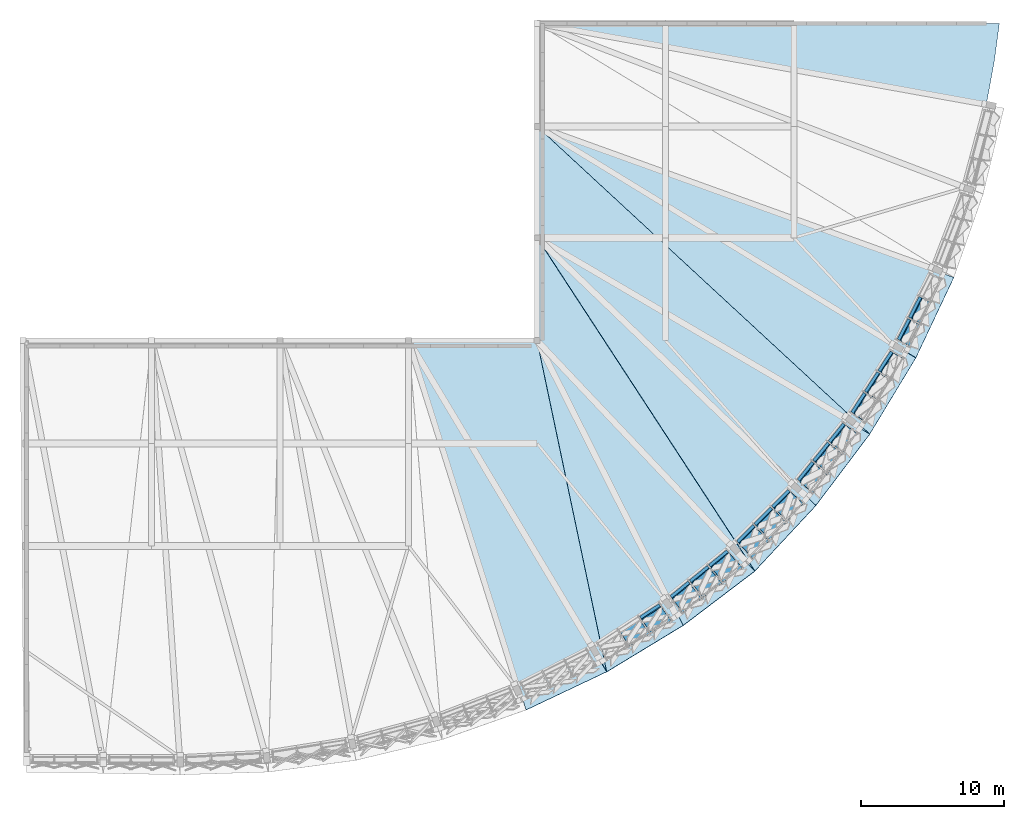
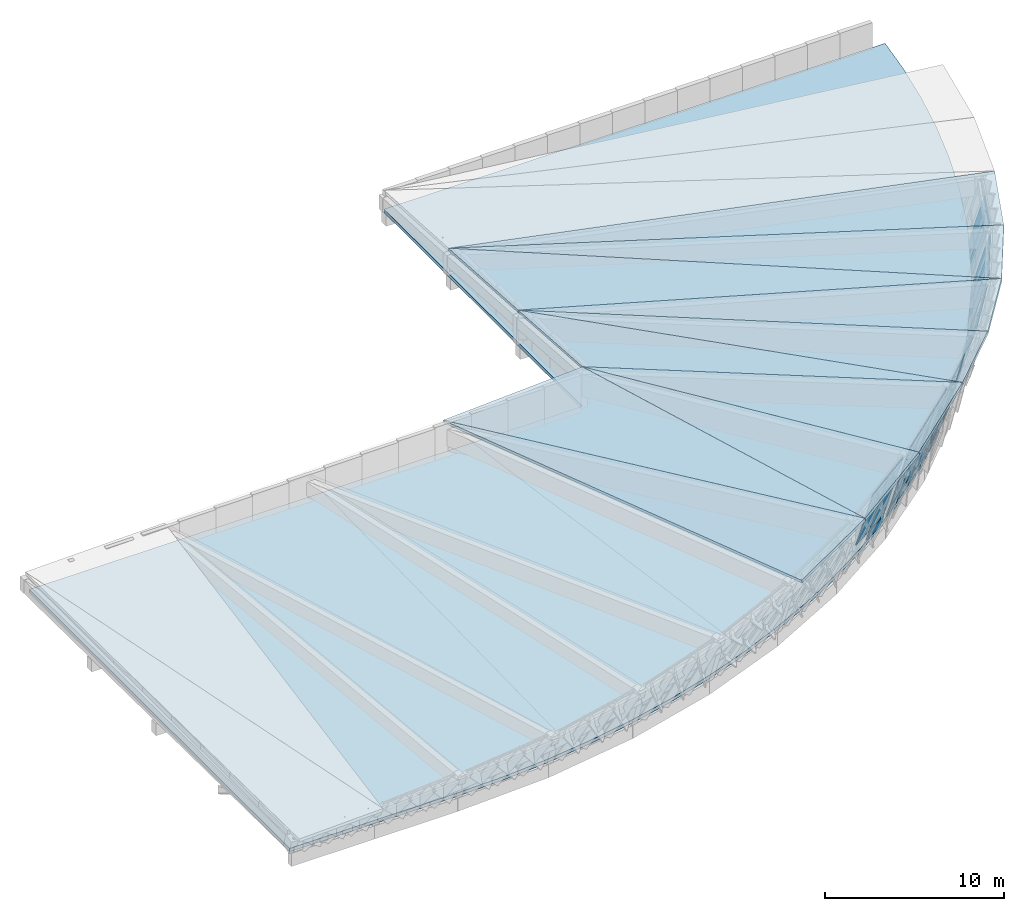
# One storey, part 9 of 11: 31 plates, 11 slabs, 6 elements without a shape of their own.
"""IFC4 building model written with IfcOpenShell, lengths in metres."""

import ifcopenshell
import ifcopenshell.guid

model = None  # the IFC model being written
_history = None  # IfcOwnerHistory: only IFC2X3 demands one
_inside = {}  # id of a spatial element -> (the spatial element, [elements in it])
_under = {}  # id of a project, library or spatial element -> (it, [spatial elements below it])
_declared = {}  # id of a project -> (the project, [libraries it declares])
_typed = {}  # id of a type object -> (the type object, [elements of that type])
_made_of = {}  # id of a material, layer set ... -> (it, [elements and type objects made of it])


def new_model(schema):
    """Start an empty IFC model of exactly this schema.

    Asked for "IFC4X3", IfcOpenShell would pick the latest addendum, in which some entities
    have other attributes; the version numbers below select the first issue.
    IFC2X3 requires an IfcOwnerHistory on every rooted entity: one is made here for all.
    """
    global model, _history
    if schema == "IFC4X3":
        model = ifcopenshell.file(schema_version=(4, 3, 0, 0))
    else:
        model = ifcopenshell.file(schema=schema)
    _inside.clear()
    _under.clear()
    _declared.clear()
    _typed.clear()
    _made_of.clear()
    _history = None
    if model.schema == "IFC2X3":
        org = make("IfcOrganization", Name="unknown")
        user = make(
            "IfcPersonAndOrganization",
            ThePerson=make("IfcPerson", FamilyName="unknown"),
            TheOrganization=org,
        )
        app = make(
            "IfcApplication",
            ApplicationDeveloper=org,
            Version="unknown",
            ApplicationFullName="unknown",
            ApplicationIdentifier="unknown",
        )
        _history = make(
            "IfcOwnerHistory",
            OwningUser=user,
            OwningApplication=app,
            ChangeAction="ADDED",
            CreationDate=0,
        )
    return model


def make(cls, **values):
    """One entity of the class cls with the attributes given. An attribute that is None is left unset."""
    return model.create_entity(
        cls, **{name: value for name, value in values.items() if value is not None}
    )


def rooted(cls, **values):
    """An entity with a GlobalId (a new one), such as an element, a storey or a relation."""
    return make(cls, GlobalId=ifcopenshell.guid.new(), OwnerHistory=_history, **values)


def si_unit(unit_type, name, prefix=None):
    """IfcSIUnit, for example si_unit("LENGTHUNIT", "METRE", prefix="MILLI")."""
    return make("IfcSIUnit", UnitType=unit_type, Prefix=prefix, Name=name)


def assignment(units):
    """IfcUnitAssignment: the units of a project."""
    return None if units is None else make("IfcUnitAssignment", Units=units)


def point(xyz):
    """IfcCartesianPoint."""
    return None if xyz is None else make("IfcCartesianPoint", Coordinates=xyz)


def direction(xyz):
    """IfcDirection."""
    return None if xyz is None else make("IfcDirection", DirectionRatios=xyz)


def frame(location, z_axis=None, x_axis=None):
    """IfcAxis2Placement3D, a coordinate frame: its origin and axes. An axis left out is left unset."""
    return make(
        "IfcAxis2Placement3D",
        Location=point(location),
        Axis=direction(z_axis),
        RefDirection=direction(x_axis),
    )


def origin():
    """The frame at (0, 0, 0) with its axes left unset."""
    return frame((0.0, 0.0, 0.0))


def place(relative_to, where):
    """IfcLocalPlacement: puts the frame where relative to a parent placement (None: the world)."""
    return make(
        "IfcLocalPlacement", PlacementRelTo=relative_to, RelativePlacement=where
    )


def context(
    kind, dimensions, precision=None, world=None, true_north=None, identifier=None
):
    """IfcGeometricRepresentationContext, for example the 3D "Model" context."""
    return make(
        "IfcGeometricRepresentationContext",
        ContextIdentifier=identifier,
        ContextType=kind,
        CoordinateSpaceDimension=dimensions,
        Precision=precision,
        WorldCoordinateSystem=world,
        TrueNorth=true_north,
    )


def subcontext(parent, identifier, kind, view, scale=None):
    """IfcGeometricRepresentationSubContext, for example "Body" below "Model"."""
    return make(
        "IfcGeometricRepresentationSubContext",
        ContextIdentifier=identifier,
        ContextType=kind,
        ParentContext=parent,
        TargetScale=scale,
        TargetView=view,
    )


def project(units=None, contexts=None):
    """IfcProject with its units and contexts."""
    return rooted(
        "IfcProject",
        Name="project",
        RepresentationContexts=contexts,
        UnitsInContext=assignment(units),
    )


def spatial(cls, under=None, at=None, **own):
    """A site, building, storey or space (cls), placed at a placement, below another one or the project."""
    s = rooted(cls, ObjectPlacement=at, **own)
    if under is not None:
        _under.setdefault(under.id(), (under, []))[1].append(s)
    return s


def polyline(points):
    """IfcPolyline through the points."""
    return make("IfcPolyline", Points=[point(p) for p in points])


def outline(outer, holes=None, kind="AREA"):
    """IfcArbitraryClosedProfileDef: a profile drawn as a closed curve; with holes, ...WithVoids."""
    if holes is None:
        return make("IfcArbitraryClosedProfileDef", ProfileType=kind, OuterCurve=outer)
    return make(
        "IfcArbitraryProfileDefWithVoids",
        ProfileType=kind,
        OuterCurve=outer,
        InnerCurves=holes,
    )


def extrude(swept, where, along, depth):
    """IfcExtrudedAreaSolid: the profile swept, set in the frame where, extruded along a direction by depth."""
    return make(
        "IfcExtrudedAreaSolid",
        SweptArea=swept,
        Position=where,
        ExtrudedDirection=direction(along),
        Depth=depth,
    )


def shape(context_of_items, identifier, shape_type, items):
    """IfcShapeRepresentation: the items that make up one representation, for example the "Body"."""
    return make(
        "IfcShapeRepresentation",
        ContextOfItems=context_of_items,
        RepresentationIdentifier=identifier,
        RepresentationType=shape_type,
        Items=items,
    )


def material(Name=None, Category=None):
    """IfcMaterial."""
    return make("IfcMaterial", Name=Name, Category=Category)


def layer(
    of_material, thickness, ventilated=None, Name=None, Category=None, Priority=None
):
    """IfcMaterialLayer: one layer of a wall or slab, of a material (None: an air gap)."""
    return make(
        "IfcMaterialLayer",
        Material=of_material,
        LayerThickness=thickness,
        IsVentilated=ventilated,
        Name=Name,
        Category=Category,
        Priority=Priority,
    )


def layer_set(layers, Name=None):
    """IfcMaterialLayerSet."""
    return make("IfcMaterialLayerSet", MaterialLayers=layers, LayerSetName=Name)


def made_of(thing, what):
    """Note that an element or type object is made of a material, layer set ...; save() writes the relation."""
    if what is not None:
        _made_of.setdefault(what.id(), (what, []))[1].append(thing)
    return thing


def type_object(cls, material=None, **own):
    """A type object (cls), such as IfcWallType, which elements share."""
    return made_of(rooted(cls, **own), material)


def element(
    cls,
    number,
    at=None,
    inside=None,
    cuts=None,
    type_object=None,
    material=None,
    context=None,
    identifier="Body",
    shape_type=None,
    held_by="IfcProductDefinitionShape",
    body=None,
    shapes=None,
    **own,
):
    """One element of the class cls, such as IfcWall. Its Tag is "e" and its number.

    at: its placement. inside: the storey or other place that contains it. cuts: it is an
    opening in that element (IfcRelVoidsElement). A single representation is given by context,
    identifier, shape_type and body (its items); several are given by shapes. held_by: the class
    of the entity that holds the representations. save() writes the other relations.
    """
    e = rooted(cls, Tag="e%d" % number, ObjectPlacement=at, **own)
    if body is not None:
        shapes = [shape(context, identifier, shape_type, body)]
    if shapes is not None:
        e.Representation = make(held_by, Representations=shapes)
    if inside is not None:
        _inside.setdefault(inside.id(), (inside, []))[1].append(e)
    if cuts is not None:
        rooted(
            "IfcRelVoidsElement", RelatingBuildingElement=cuts, RelatedOpeningElement=e
        )
    if type_object is not None:
        _typed.setdefault(type_object.id(), (type_object, []))[1].append(e)
    return made_of(e, material)


def aggregate(whole, parts):
    """IfcRelAggregates: a whole, such as a stair, and the parts it consists of."""
    return rooted("IfcRelAggregates", RelatingObject=whole, RelatedObjects=parts)


def save(model, path):
    """Write the relations noted so far, then the file.

    IfcRelAggregates (storeys below a building ...), IfcRelContainedInSpatialStructure (elements
    in a storey), IfcRelDefinesByType, IfcRelAssociatesMaterial and IfcRelDeclares: one each for
    every whole, place, type object, material and project.
    """
    for whole, parts in _under.values():
        aggregate(whole, parts)
    for where, things in _inside.values():
        rooted(
            "IfcRelContainedInSpatialStructure",
            RelatedElements=things,
            RelatingStructure=where,
        )
    for kind, things in _typed.values():
        rooted("IfcRelDefinesByType", RelatedObjects=things, RelatingType=kind)
    for what, things in _made_of.values():
        rooted("IfcRelAssociatesMaterial", RelatedObjects=things, RelatingMaterial=what)
    for by, libraries in _declared.values():
        rooted("IfcRelDeclares", RelatingContext=by, RelatedDefinitions=libraries)
    model.write(path)


model = new_model("IFC4")

# Units and contexts
model_context = context("Model", 3, precision=1e-05, world=origin(), true_north=direction((0.0, 1.0)))
body_context = subcontext(model_context, "Body", "Model", "MODEL_VIEW")
ifc_project = project(units=[si_unit("LENGTHUNIT", "METRE"), si_unit("AREAUNIT", "SQUARE_METRE"), si_unit("VOLUMEUNIT", "CUBIC_METRE"), si_unit("PLANEANGLEUNIT", "RADIAN"), si_unit("MASSUNIT", "GRAM", prefix="KILO")], contexts=[model_context])

# Site, building, storey
site_placement = place(None, origin())
site = spatial("IfcSite", under=ifc_project, at=site_placement, CompositionType="ELEMENT")
building_placement = place(site_placement, origin())
building = spatial("IfcBuilding", under=site, at=building_placement, Name="Chiffa Square Polytechnic", CompositionType="ELEMENT")
storey_placement = place(building_placement, frame((0.0, 0.0, 30.60009765625)))
storey = spatial("IfcBuildingStorey", under=building, at=storey_placement, Name="ROOF", CompositionType="ELEMENT", Elevation=30.60009765625)

# Curtain wall, plates
ifc_material_1 = material(Name="Aluminium EN AW-6060 T66 and glulam shading", Category="wood")
curtain_wall_type_1 = type_object("IfcCurtainWallType", Name="CW-PROW-LEAN-300", PredefinedType="USERDEFINED", material=ifc_material_1)
curtain_wall_1_placement = place(storey_placement, origin())
curtain_wall_1 = element("IfcCurtainWall", 1, at=curtain_wall_1_placement, inside=storey, type_object=curtain_wall_type_1, Name="Outward-leaning diamond-fin prow curtain wall CW-V1-ROOF-121", ObjectType="CURTAIN WALL", PredefinedType="USERDEFINED")
ifc_material_2 = material(Name="Double glazing", Category="glass")
ifc_layer_1 = layer(ifc_material_2, 0.0458984375, Name="Double glazing")
ifc_layer_set_1 = layer_set([ifc_layer_1], Name="Double glazing")
plate_type_1 = type_object("IfcPlateType", Name="CWP-GLZ-128X106", PredefinedType="CURTAIN_PANEL", material=ifc_layer_set_1)
plate_1_placement = place(storey_placement, frame((170.3740234375, 23.684326171875, 0.1279296875), z_axis=(-0.807004408359, 0.524212559125, 0.271928442325), x_axis=(0.544741568728, 0.838603972826, 7.769295e-06)))
plate_1 = element("IfcPlate", 2, at=plate_1_placement, type_object=plate_type_1, Name="Leaning prow curtain panel CW-V1-ROOF-121-PN01", PredefinedType="CURTAIN_PANEL", context=body_context, shape_type="SweptSolid", body=[
    extrude(outline(polyline([(0.0, 0.0), (1.6111280090809896, 0.0), (1.5943157676603859, -3.3346292388060803), (-0.04924277057574541, -3.562732452409931), (0.0, 0.0)])), origin(), (0.0, 0.0, -1.0), 0.0458984375),
])
plate_2_placement = place(storey_placement, frame((171.31982421875, 25.140380859375, 0.1279296875), z_axis=(-0.807035295945, 0.5241659991, 0.271926527735), x_axis=(0.544688598835, 0.838638378679, -1.0293533e-05)))
plate_2 = element("IfcPlate", 3, at=plate_2_placement, type_object=plate_type_1, Name="Leaning prow curtain panel CW-V1-ROOF-121-PN02", PredefinedType="CURTAIN_PANEL", context=body_context, shape_type="SweptSolid", body=[
    extrude(outline(polyline([(0.0, 0.0), (1.6109950224175131, -2.7755575615628914e-17), (1.6243277850902589, -3.0885680619330396), (-0.014837645858515165, -3.3168638054124715), (0.0, 0.0)])), origin(), (0.0, 0.0, -1.0), 0.0458984375),
])
plate_3_placement = place(storey_placement, frame((172.265380859375, 26.59619140625, 0.1279296875), z_axis=(-0.807012889891, 0.524204510255, 0.271918787468), x_axis=(0.544732392855, 0.838609933197, 1.0860772e-05)))
plate_3 = element("IfcPlate", 4, at=plate_3_placement, type_object=plate_type_1, Name="Leaning prow curtain panel CW-V1-ROOF-121-PN03", PredefinedType="CURTAIN_PANEL", context=body_context, shape_type="SweptSolid", body=[
    extrude(outline(polyline([(0.0, 0.0), (1.61112800845346, 2.7755575615628914e-17), (1.6502852622406088, -2.842436052878546), (0.015528714881124181, -3.0708026762228253), (0.0, 0.0)])), origin(), (0.0, 0.0, -1.0), 0.0458984375),
])

curtain_wall_type_2 = type_object("IfcCurtainWallType", Name="CW-PROW-LEAN-150", PredefinedType="USERDEFINED", material=ifc_material_1)
curtain_wall_2_placement = place(storey_placement, origin())
curtain_wall_2 = element("IfcCurtainWall", 5, at=curtain_wall_2_placement, inside=storey, type_object=curtain_wall_type_2, Name="Outward-leaning diamond-fin prow curtain wall CW-V1-ROOF-120", ObjectType="CURTAIN WALL", PredefinedType="USERDEFINED")
ifc_layer_2 = layer(ifc_material_2, 0.0458984375, Name="Double glazing")
ifc_layer_set_2 = layer_set([ifc_layer_2], Name="Double glazing")
plate_type_2 = type_object("IfcPlateType", Name="CWP-GLZ-130X110", PredefinedType="CURTAIN_PANEL", material=ifc_layer_set_2)
plate_4_placement = place(storey_placement, frame((166.596923828125, 18.937255859375, 0.1279296875), z_axis=(-0.747948040427, 0.605492113756, 0.271943062055), x_axis=(0.629203932889, 0.777240252961, -3.658958e-06)))
plate_4 = element("IfcPlate", 6, at=plate_4_placement, type_object=plate_type_2, Name="Leaning prow curtain panel CW-V1-ROOF-120-PN01", PredefinedType="CURTAIN_PANEL", context=body_context, shape_type="SweptSolid", body=[
    extrude(outline(polyline([(0.0, 0.0), (1.6110644499010165, 2.7755575615628914e-17), (1.5901307008829089, -4.102617813582317), (-0.060665630049233005, -4.344636925987291), (0.0, 0.0)])), origin(), (0.0, 0.0, -1.0), 0.0458984375),
])
plate_5_placement = place(storey_placement, frame((167.689453125, 20.28662109375, 0.1279296875), z_axis=(-0.747950076778, 0.605501458078, 0.271916654351), x_axis=(0.629208406916, 0.777236631045, -5.285099e-06)))
plate_5 = element("IfcPlate", 7, at=plate_5_placement, type_object=plate_type_2, Name="Leaning prow curtain panel CW-V1-ROOF-120-PN02", PredefinedType="CURTAIN_PANEL", context=body_context, shape_type="SweptSolid", body=[
    extrude(outline(polyline([(0.0, 0.0), (1.611064449742534, -2.7755575615628914e-17), (1.6278114276023798, -3.841785468703015), (-0.018295193743024702, -4.083797218216156), (0.0, 0.0)])), origin(), (0.0, 0.0, -1.0), 0.0458984375),
])
plate_6_placement = place(storey_placement, frame((168.78173828125, 21.635986328125, 0.1279296875), z_axis=(-0.747969153087, 0.605481690868, 0.271908197843), x_axis=(0.629189226731, 0.777252157862, 8.025782e-06)))
plate_6 = element("IfcPlate", 8, at=plate_6_placement, type_object=plate_type_2, Name="Leaning prow curtain panel CW-V1-ROOF-120-PN03", PredefinedType="CURTAIN_PANEL", context=body_context, shape_type="SweptSolid", body=[
    extrude(outline(polyline([(0.0, 0.0), (1.6114078194448793, 0.0), (1.66082428508851, -3.5809503604485085), (0.019219092726835363, -3.8230065276506857), (0.0, 0.0)])), origin(), (0.0, 0.0, -1.0), 0.0458984375),
])

curtain_wall_3_placement = place(storey_placement, origin())
curtain_wall_3 = element("IfcCurtainWall", 9, at=curtain_wall_3_placement, inside=storey, type_object=curtain_wall_type_1, Name="Outward-leaning diamond-fin prow curtain wall CW-V1-ROOF-119", ObjectType="CURTAIN WALL", PredefinedType="USERDEFINED")
ifc_layer_3 = layer(ifc_material_2, 0.0439453125, Name="Double glazing")
ifc_layer_set_3 = layer_set([ifc_layer_3], Name="Double glazing")
plate_type_3 = type_object("IfcPlateType", Name="CWP-GLZ-132X114", PredefinedType="CURTAIN_PANEL", material=ifc_layer_set_3)
plate_7_placement = place(storey_placement, frame((162.343505859375, 14.611572265625, 0.1279296875), z_axis=(-0.680485758647, 0.680464921879, 0.2718577245), x_axis=(0.707096755109, 0.707116807111, 4.005503e-06)))
plate_7 = element("IfcPlate", 10, at=plate_7_placement, type_object=plate_type_3, Name="Leaning prow curtain panel CW-V1-ROOF-119-PN01", PredefinedType="CURTAIN_PANEL", context=body_context, shape_type="SweptSolid", body=[
    extrude(outline(polyline([(0.0, 0.0), (1.6113610094919038, -2.7755575615628914e-17), (1.5865017870629188, -4.912551914496679), (-0.07164289933033742, -5.167022050283845), (0.0, 0.0)])), origin(), (0.0, 0.0, -1.0), 0.0439453125),
])
plate_8_placement = place(storey_placement, frame((163.5712890625, 15.83935546875, 0.1279296875), z_axis=(-0.680470743104, 0.680478919054, 0.271860273858), x_axis=(0.707110715183, 0.707102847166, -1.571697e-06)))
plate_8 = element("IfcPlate", 11, at=plate_8_placement, type_object=plate_type_3, Name="Leaning prow curtain panel CW-V1-ROOF-119-PN02", PredefinedType="CURTAIN_PANEL", context=body_context, shape_type="SweptSolid", body=[
    extrude(outline(polyline([(0.0, 0.0), (1.611361009639877, -2.7755575615628914e-17), (1.6317317616911473, -4.638066186803864), (-0.021579186491795067, -4.892771268209691), (0.0, 0.0)])), origin(), (0.0, 0.0, -1.0), 0.0439453125),
])
plate_9_placement = place(storey_placement, frame((164.799072265625, 17.067138671875, 0.1279296875), z_axis=(-0.680471882125, 0.680479558929, 0.271855821195), x_axis=(0.707110475016, 0.707103087336, -1.475721e-06)))
plate_9 = element("IfcPlate", 12, at=plate_9_placement, type_object=plate_type_3, Name="Leaning prow curtain panel CW-V1-ROOF-119-PN03", PredefinedType="CURTAIN_PANEL", context=body_context, shape_type="SweptSolid", body=[
    extrude(outline(polyline([(0.0, 0.0), (1.6113610096430646, 2.7755575615628914e-17), (1.6717827317166538, -4.363815404686872), (0.023305521305445852, -4.6185204861773), (0.0, 0.0)])), origin(), (0.0, 0.0, -1.0), 0.0439453125),
])

curtain_wall_4_placement = place(storey_placement, origin())
curtain_wall_4 = element("IfcCurtainWall", 13, at=curtain_wall_4_placement, inside=storey, type_object=curtain_wall_type_2, Name="Outward-leaning diamond-fin prow curtain wall CW-V1-ROOF-118", ObjectType="CURTAIN WALL", PredefinedType="USERDEFINED")
ifc_layer_4 = layer(ifc_material_2, 0.0439453125, Name="Double glazing")
ifc_layer_set_4 = layer_set([ifc_layer_4], Name="Double glazing")
plate_type_4 = type_object("IfcPlateType", Name="CWP-GLZ-134X118", PredefinedType="CURTAIN_PANEL", material=ifc_layer_set_4)
plate_10_placement = place(storey_placement, frame((157.66162109375, 10.75439453125, 0.1279296875), z_axis=(-0.605570785829, 0.747899444211, 0.271901534934), x_axis=(0.777179231851, 0.62927930331, -2.21785e-06)))
plate_10 = element("IfcPlate", 14, at=plate_10_placement, type_object=plate_type_4, Name="Leaning prow curtain panel CW-V1-ROOF-118-PN01", PredefinedType="CURTAIN_PANEL", context=body_context, shape_type="SweptSolid", body=[
    extrude(outline(polyline([(0.0, 0.0), (1.6112180729519143, -2.7755575615628914e-17), (1.587211158494484, -4.679222553519432), (-0.06226765846378002, -4.452154698632553), (0.0, 0.0)])), origin(), (0.0, 0.0, -1.0), 0.0439453125),
])
plate_11_placement = place(storey_placement, frame((159.010986328125, 11.8466796875, 0.1279296875), z_axis=(-0.605597450254, 0.747895978156, 0.271851676662), x_axis=(0.777165361497, 0.629296433227, 4.009059e-06)))
plate_11 = element("IfcPlate", 15, at=plate_11_placement, type_object=plate_type_4, Name="Leaning prow curtain panel CW-V1-ROOF-118-PN02", PredefinedType="CURTAIN_PANEL", context=body_context, shape_type="SweptSolid", body=[
    extrude(outline(polyline([(0.0, 0.0), (1.6112180728303096, -5.551115123125783e-17), (1.6328809666797526, -4.923705573562666), (-0.02075444372314959, -4.6966621582689605), (0.0, 0.0)])), origin(), (0.0, 0.0, -1.0), 0.0439453125),
])
plate_12_placement = place(storey_placement, frame((160.3603515625, 12.939208984375, 0.1279296875), z_axis=(-0.60556524505, 0.747916590715, 0.271866708738), x_axis=(0.777188373722, 0.629268012624, -6.321719e-06)))
plate_12 = element("IfcPlate", 16, at=plate_12_placement, type_object=plate_type_4, Name="Leaning prow curtain panel CW-V1-ROOF-118-PN03", PredefinedType="CURTAIN_PANEL", context=body_context, shape_type="SweptSolid", body=[
    extrude(outline(polyline([(0.0, 0.0), (1.6112180725699194, 0.0), (1.6832765875466305, -5.168054514892327), (0.025294843460586323, -4.941228716682497), (0.0, 0.0)])), origin(), (0.0, 0.0, -1.0), 0.0439453125),
])

curtain_wall_5_placement = place(storey_placement, origin())
curtain_wall_5 = element("IfcCurtainWall", 17, at=curtain_wall_5_placement, inside=storey, type_object=curtain_wall_type_1, Name="Outward-leaning diamond-fin prow curtain wall CW-V1-ROOF-117", ObjectType="CURTAIN WALL", PredefinedType="USERDEFINED")
ifc_layer_5 = layer(ifc_material_2, 0.0419921875, Name="Double glazing")
ifc_layer_set_5 = layer_set([ifc_layer_5], Name="Double glazing")
plate_type_5 = type_object("IfcPlateType", Name="CWP-GLZ-136X122", PredefinedType="CURTAIN_PANEL", material=ifc_layer_set_5)
plate_13_placement = place(storey_placement, frame((154.05859375, 8.3525390625, 0.1279296875), z_axis=(-0.524190690558, 0.807010681087, 0.271951982054), x_axis=(0.838615377161, 0.544724011773, -1.3686528e-05)))
plate_13 = element("IfcPlate", 18, at=plate_13_placement, type_object=plate_type_5, Name="Leaning prow curtain panel CW-V1-ROOF-117-PN02", PredefinedType="CURTAIN_PANEL", context=body_context, shape_type="SweptSolid", body=[
    extrude(outline(polyline([(0.0, 0.0), (1.6111280076982395, 0.0), (1.6298659494180627, -4.201335953319212), (-0.017314980017809727, -3.984120304248619), (0.0, 0.0)])), origin(), (0.0, 0.0, -1.0), 0.0419921875),
])
plate_14_placement = place(storey_placement, frame((155.5146484375, 9.29833984375, 0.1279296875), z_axis=(-0.524117093469, 0.807054493968, 0.271963813953), x_axis=(0.838665357083, 0.544647058944, -3.703432e-06)))
plate_14 = element("IfcPlate", 19, at=plate_14_placement, type_object=plate_type_5, Name="Leaning prow curtain panel CW-V1-ROOF-117-PN03", PredefinedType="CURTAIN_PANEL", context=body_context, shape_type="SweptSolid", body=[
    extrude(outline(polyline([(0.0, 0.0), (1.610995023422371, 2.7755575615628914e-17), (1.673033105992229, -4.434994588846962), (0.021781402316583216, -4.218065675305774), (0.0, 0.0)])), origin(), (0.0, 0.0, -1.0), 0.0419921875),
])

curtain_wall_6_placement = place(storey_placement, origin())
curtain_wall_6 = element("IfcCurtainWall", 20, at=curtain_wall_6_placement, inside=storey, type_object=curtain_wall_type_2, Name="Outward-leaning diamond-fin prow curtain wall CW-V1-ROOF-122", ObjectType="CURTAIN WALL", PredefinedType="USERDEFINED")
ifc_layer_6 = layer(ifc_material_2, 0.035888671875, Name="Double glazing")
ifc_layer_set_6 = layer_set([ifc_layer_6], Name="Double glazing")
plate_type_6 = type_object("IfcPlateType", Name="CWP-GLZ-150X145", PredefinedType="CURTAIN_PANEL", material=ifc_layer_set_6)
plate_15_placement = place(storey_placement, frame((173.634521484375, 28.79931640625, 0.1279296875), z_axis=(-0.857407823775, 0.436949590972, 0.271894977297), x_axis=(0.45404584266, 0.890978322614, -3.7351854e-05)))
plate_15 = element("IfcPlate", 21, at=plate_15_placement, type_object=plate_type_6, Name="Leaning prow curtain panel CW-V1-ROOF-122-PN01", PredefinedType="CURTAIN_PANEL", context=body_context, shape_type="SweptSolid", body=[
    extrude(outline(polyline([(0.0, 0.0), (1.6113683739995452, 2.7755575615628914e-17), (1.597714515175778, -2.612646238867791), (-0.03975434190604407, -2.825372941125485), (0.0, 0.0)])), origin(), (0.0, 0.0, -1.0), 0.035888671875),
])
plate_16_placement = place(storey_placement, frame((174.422607421875, 30.346435546875, 0.1279296875), z_axis=(-0.857398321325, 0.436923144456, 0.27196743266), x_axis=(0.454038230754, 0.890982202406, 3.203825e-06)))
plate_16 = element("IfcPlate", 22, at=plate_16_placement, type_object=plate_type_6, Name="Leaning prow curtain panel CW-V1-ROOF-122-PN02", PredefinedType="CURTAIN_PANEL", context=body_context, shape_type="SweptSolid", body=[
    extrude(outline(polyline([(0.0, 0.0), (1.611479226053956, 2.7755575615628914e-17), (1.6220102433560464, -2.383286342867823), (-0.011736182165103956, -2.596154478790891), (0.0, 0.0)])), origin(), (0.0, 0.0, -1.0), 0.035888671875),
])

# Plate
ifc_material_3 = material(Name="Aluminium insulated spandrel", Category="aluminium")
ifc_layer_7 = layer(ifc_material_3, 0.072021484375, Name="Aluminium insulated spandrel")
ifc_layer_set_7 = layer_set([ifc_layer_7], Name="Aluminium insulated spandrel")
plate_type_7 = type_object("IfcPlateType", Name="CWP-SPN-136X072", PredefinedType="SHEET", material=ifc_layer_set_7)
plate_17_placement = place(storey_placement, frame((155.38330078125, 9.4921875, -0.7001953125), z_axis=(-0.524163951372, 0.807002000983, 0.272029267712), x_axis=(0.838628559788, 0.544703716401, 6.876296e-06)))
plate_17 = element("IfcPlate", 23, at=plate_17_placement, type_object=plate_type_7, Name="Leaning prow curtain panel CW-V1-ROOF-117-SP03", PredefinedType="SHEET", context=body_context, shape_type="SweptSolid", body=[
    extrude(outline(polyline([(0.0, 0.0), (1.6037486897347233, 2.7755575615628914e-17), (1.6148306109316592, -0.8024675646911372), (0.00404033308723824, -0.8024905350483494), (0.0, 0.0)])), origin(), (0.0, 0.0, -1.0), 0.072021484375),
])

aggregate(curtain_wall_5, [plate_13, plate_17, plate_14])

ifc_layer_8 = layer(ifc_material_3, 0.06591796875, Name="Aluminium insulated spandrel")
ifc_layer_set_8 = layer_set([ifc_layer_8], Name="Aluminium insulated spandrel")
plate_type_8 = type_object("IfcPlateType", Name="CWP-SPN-144X078", PredefinedType="SHEET", material=ifc_layer_set_8)
plate_18_placement = place(storey_placement, frame((173.431396484375, 28.91650390625, -0.7001953125), z_axis=(-0.857394733107, 0.43703010309, 0.271806844345), x_axis=(0.454128288886, 0.890936303679, 4.482602e-06)))
plate_18 = element("IfcPlate", 24, at=plate_18_placement, type_object=plate_type_8, Name="Leaning prow curtain panel CW-V1-ROOF-122-SP01", PredefinedType="SHEET", context=body_context, shape_type="SweptSolid", body=[
    extrude(outline(polyline([(0.0, 0.0), (1.6036191247258398, -2.7755575615628914e-17), (1.5994157766458617, -0.8024192457384247), (-0.011300030612003374, -0.8024342180021808), (0.0, 0.0)])), origin(), (0.0, 0.0, -1.0), 0.06591796875),
])

plate_19_placement = place(storey_placement, frame((174.216064453125, 30.4560546875, -0.7001953125), z_axis=(-0.857441078662, 0.436943378079, 0.27180007538), x_axis=(0.454030515335, 0.890986133812, -2.2355826e-05)))
plate_19 = element("IfcPlate", 25, at=plate_19_placement, type_object=plate_type_8, Name="Leaning prow curtain panel CW-V1-ROOF-122-SP02", PredefinedType="SHEET", context=body_context, shape_type="SweptSolid", body=[
    extrude(outline(polyline([(0.0, 0.0), (1.6037257905100784, 0.0), (1.607231220624302, -0.8024624384416743), (-0.003484579788116179, -0.8023877657989378), (0.0, 0.0)])), origin(), (0.0, 0.0, -1.0), 0.06591796875),
])

aggregate(curtain_wall_6, [plate_18, plate_15, plate_19, plate_16])

ifc_layer_9 = layer(ifc_material_3, 0.06396484375, Name="Aluminium insulated spandrel")
ifc_layer_set_9 = layer_set([ifc_layer_9], Name="Aluminium insulated spandrel")
plate_type_9 = type_object("IfcPlateType", Name="CWP-SPN-146X082", PredefinedType="SHEET", material=ifc_layer_set_9)
plate_20_placement = place(storey_placement, frame((170.184326171875, 23.822021484375, -0.7001953125), z_axis=(-0.80701443648, 0.524266987177, 0.271793718598), x_axis=(0.544778263445, 0.838580135381, 1.4872301e-05)))
plate_20 = element("IfcPlate", 26, at=plate_20_placement, type_object=plate_type_9, Name="Leaning prow curtain panel CW-V1-ROOF-121-SP01", PredefinedType="SHEET", context=body_context, shape_type="SweptSolid", body=[
    extrude(outline(polyline([(0.0, 0.0), (1.6033392168341847, 0.0), (1.5994068165279858, -0.802398887449034), (-0.01138345883526213, -0.8024485588007315), (0.0, 0.0)])), origin(), (0.0, 0.0, -1.0), 0.06396484375),
])

plate_21_placement = place(storey_placement, frame((171.12548828125, 25.27099609375, -0.7001953125), z_axis=(-0.807013717054, 0.524193420742, 0.271937710033), x_axis=(0.544723654666, 0.838615609174, 9.842173e-06)))
plate_21 = element("IfcPlate", 27, at=plate_21_placement, type_object=plate_type_9, Name="Leaning prow curtain panel CW-V1-ROOF-121-SP02", PredefinedType="SHEET", context=body_context, shape_type="SweptSolid", body=[
    extrude(outline(polyline([(0.0, 0.0), (1.6035439481752674, -5.551115123125783e-17), (1.6069727868026473, -0.8024410888873019), (-0.0034797623101611077, -0.8024739603636563), (0.0, 0.0)])), origin(), (0.0, 0.0, -1.0), 0.06396484375),
])

plate_22_placement = place(storey_placement, frame((172.06689453125, 26.719970703125, -0.7001953125), z_axis=(-0.807002188473, 0.52425903041, 0.271845428198), x_axis=(0.544773124353, 0.838583474042, -6.825366e-06)))
plate_22 = element("IfcPlate", 28, at=plate_22_placement, type_object=plate_type_9, Name="Leaning prow curtain panel CW-V1-ROOF-121-SP03", PredefinedType="SHEET", context=body_context, shape_type="SweptSolid", body=[
    extrude(outline(polyline([(0.0, 0.0), (1.603543948720093, 0.0), (1.6145568466135982, -0.8024472344022052), (0.003971302833287362, -0.8024244383120583), (0.0, 0.0)])), origin(), (0.0, 0.0, -1.0), 0.06396484375),
])

aggregate(curtain_wall_1, [plate_20, plate_1, plate_21, plate_2, plate_22, plate_3])

ifc_layer_10 = layer(ifc_material_3, 0.06201171875, Name="Aluminium insulated spandrel")
ifc_layer_set_10 = layer_set([ifc_layer_10], Name="Aluminium insulated spandrel")
plate_type_10 = type_object("IfcPlateType", Name="CWP-SPN-148X084", PredefinedType="SHEET", material=ifc_layer_set_10)
plate_23_placement = place(storey_placement, frame((166.422607421875, 19.093994140625, -0.7001953125), z_axis=(-0.747900856518, 0.605572348294, 0.271894170226), x_axis=(0.629281197097, 0.777177698398, 9.645074e-06)))
plate_23 = element("IfcPlate", 29, at=plate_23_placement, type_object=plate_type_10, Name="Leaning prow curtain panel CW-V1-ROOF-120-SP01", PredefinedType="SHEET", context=body_context, shape_type="SweptSolid", body=[
    extrude(outline(polyline([(0.0, 0.0), (1.6034018945861943, 0.0), (1.5993935131421042, -0.8024312352992122), (-0.011137812257297746, -0.8024634474461099), (0.0, 0.0)])), origin(), (0.0, 0.0, -1.0), 0.06201171875),
])

plate_24_placement = place(storey_placement, frame((167.510009765625, 20.43701171875, -0.7001953125), z_axis=(-0.747931143532, 0.60553768501, 0.271888058891), x_axis=(0.62924128944, 0.777210010007, -2.916853e-06)))
plate_24 = element("IfcPlate", 30, at=plate_24_placement, type_object=plate_type_10, Name="Leaning prow curtain panel CW-V1-ROOF-120-SP02", PredefinedType="SHEET", context=body_context, shape_type="SweptSolid", body=[
    extrude(outline(polyline([(0.0, 0.0), (1.6035916382671462, 2.7755575615628914e-17), (1.6068454163303652, -0.8024506960428658), (-0.00368591027420236, -0.8024409539225441), (0.0, 0.0)])), origin(), (0.0, 0.0, -1.0), 0.06201171875),
])

plate_25_placement = place(storey_placement, frame((168.597412109375, 21.780029296875, -0.7001953125), z_axis=(-0.748011766368, 0.605470679256, 0.271815477737), x_axis=(0.629157595125, 0.777277762747, -5.92655e-06)))
plate_25 = element("IfcPlate", 31, at=plate_25_placement, type_object=plate_type_10, Name="Leaning prow curtain panel CW-V1-ROOF-120-SP03", PredefinedType="SHEET", context=body_context, shape_type="SweptSolid", body=[
    extrude(outline(polyline([(0.0, 0.0), (1.603438027803056, 0.0), (1.6144821719998395, -0.80243867166296), (0.0037610917430328404, -0.8024188775272499), (0.0, 0.0)])), origin(), (0.0, 0.0, -1.0), 0.06201171875),
])

aggregate(curtain_wall_2, [plate_23, plate_4, plate_24, plate_5, plate_25, plate_6])

ifc_layer_11 = layer(ifc_material_3, 0.06005859375, Name="Aluminium insulated spandrel")
ifc_layer_set_11 = layer_set([ifc_layer_11], Name="Aluminium insulated spandrel")
plate_type_11 = type_object("IfcPlateType", Name="CWP-SPN-150X080", PredefinedType="SHEET", material=ifc_layer_set_11)
plate_26_placement = place(storey_placement, frame((162.1865234375, 14.785400390625, -0.7001953125), z_axis=(-0.680557926473, 0.680484834654, 0.271627131416), x_axis=(0.707071608365, 0.707141952119, 1.4038701e-05)))
plate_26 = element("IfcPlate", 32, at=plate_26_placement, type_object=plate_type_11, Name="Leaning prow curtain panel CW-V1-ROOF-119-SP01", PredefinedType="SHEET", context=body_context, shape_type="SweptSolid", body=[
    extrude(outline(polyline([(0.0, 0.0), (1.6037651338987837, -2.7755575615628914e-17), (1.5996219343812237, -0.8023610561821001), (-0.01122118124651614, -0.8024079481222453), (0.0, 0.0)])), origin(), (0.0, 0.0, -1.0), 0.06005859375),
])

plate_27_placement = place(storey_placement, frame((163.408447265625, 16.007568359375, -0.7001953125), z_axis=(-0.680461603493, 0.680461603493, 0.271926483343), x_axis=(0.707106781187, 0.707106781187, 0.0)))
plate_27 = element("IfcPlate", 33, at=plate_27_placement, type_object=plate_type_11, Name="Leaning prow curtain panel CW-V1-ROOF-119-SP02", PredefinedType="SHEET", context=body_context, shape_type="SweptSolid", body=[
    extrude(outline(polyline([(0.0, 0.0), (1.603765136040778, 0.0), (1.6072178058707904, -0.8024548788844245), (-0.003452669830012439, -0.8024548788844245), (0.0, 0.0)])), origin(), (0.0, 0.0, -1.0), 0.06005859375),
])

plate_28_placement = place(storey_placement, frame((164.630615234375, 17.2294921875, -0.7001953125), z_axis=(-0.680574300173, 0.680428113018, 0.271728182121), x_axis=(0.707030813109, 0.707182741103, -6.3501e-08)))
plate_28 = element("IfcPlate", 34, at=plate_28_placement, type_object=plate_type_11, Name="Leaning prow curtain panel CW-V1-ROOF-119-SP03", PredefinedType="SHEET", context=body_context, shape_type="SweptSolid", body=[
    extrude(outline(polyline([(0.0, 0.0), (1.6035925118415952, 0.0), (1.6147902162192478, -0.8024082803693895), (0.003947097776466224, -0.8024080682696855), (0.0, 0.0)])), origin(), (0.0, 0.0, -1.0), 0.06005859375),
])

aggregate(curtain_wall_3, [plate_26, plate_7, plate_27, plate_8, plate_28, plate_9])

ifc_layer_12 = layer(ifc_material_3, 0.06005859375, Name="Aluminium insulated spandrel")
ifc_layer_set_12 = layer_set([ifc_layer_12], Name="Aluminium insulated spandrel")
plate_type_12 = type_object("IfcPlateType", Name="CWP-SPN-150X095", PredefinedType="SHEET", material=ifc_layer_set_12)
plate_29_placement = place(storey_placement, frame((157.523681640625, 10.943603515625, -0.7001953125), z_axis=(-0.605526975019, 0.74799101103, 0.271747180192), x_axis=(0.777237861533, 0.629206886888, -9.583562e-06)))
plate_29 = element("IfcPlate", 35, at=plate_29_placement, type_object=plate_type_12, Name="Leaning prow curtain panel CW-V1-ROOF-118-SP01", PredefinedType="SHEET", context=body_context, shape_type="SweptSolid", body=[
    extrude(outline(polyline([(0.0, 0.0), (1.6035916373622148, 0.0), (1.599461368299392, -0.8024285744940464), (-0.011259711147600842, -0.8023965653834682), (0.0, 0.0)])), origin(), (0.0, 0.0, -1.0), 0.06005859375),
])

plate_30_placement = place(storey_placement, frame((158.86669921875, 12.031005859375, -0.7001953125), z_axis=(-0.605517695667, 0.747979548499, 0.271799402615), x_axis=(0.777237860879, 0.629206887697, -9.585257e-06)))
plate_30 = element("IfcPlate", 36, at=plate_30_placement, type_object=plate_type_12, Name="Leaning prow curtain panel CW-V1-ROOF-118-SP02", PredefinedType="SHEET", context=body_context, shape_type="SweptSolid", body=[
    extrude(outline(polyline([(0.0, 0.0), (1.6035916373622454, 0.0), (1.607277549448329, -0.8024409521058751), (-0.0034435299985718084, -0.8024089368440158), (0.0, 0.0)])), origin(), (0.0, 0.0, -1.0), 0.06005859375),
])

plate_31_placement = place(storey_placement, frame((160.209716796875, 13.118408203125, -0.7001953125), z_axis=(-0.605476395502, 0.748018828344, 0.271783308783), x_axis=(0.777277762498, 0.629157595433, 5.925904e-06)))
plate_31 = element("IfcPlate", 37, at=plate_31_placement, type_object=plate_type_12, Name="Leaning prow curtain panel CW-V1-ROOF-118-SP03", PredefinedType="SHEET", context=body_context, shape_type="SweptSolid", body=[
    extrude(outline(polyline([(0.0, 0.0), (1.603438027803049, 0.0), (1.6147761734687869, -0.8024112100616059), (0.004055093211958569, -0.8024310018547097), (0.0, 0.0)])), origin(), (0.0, 0.0, -1.0), 0.06005859375),
])

aggregate(curtain_wall_4, [plate_29, plate_10, plate_30, plate_11, plate_31, plate_12])

# Slabs
ifc_material_4 = material(Name="CLT C24", Category="wood")
ifc_layer_13 = layer(ifc_material_4, 0.199951171875, Name="CLT C24")
ifc_layer_set_13 = layer_set([ifc_layer_13], Name="CLT C24")
slab_type_1 = type_object("IfcSlabType", Name="SLB-ROOF-200", PredefinedType="ROOF", material=ifc_layer_set_13)
slab_1_placement = place(storey_placement, frame((139.202392578125, 28.79443359375, 1.450439453125), z_axis=(-0.12728985841, 0.030828697624, 0.991386344141), x_axis=(0.302493132246, -0.95069398322, 0.068402157964)))
element("IfcSlab", 38, at=slab_1_placement, inside=storey, type_object=slab_type_1, Name="Swept faculty prow glulam roof panel SLB-ROOF-V1-SW10", PredefinedType="ROOF", context=body_context, shape_type="SweptSolid", body=[
    extrude(outline(polyline([(0.0, 0.0), (27.207971791853904, 4.163336342344337e-16), (26.418617117830053, 6.2280072449885), (0.0, 0.0)])), origin(), (0.0, 0.0, -1.0), 0.199951171875),
])
slab_2_placement = place(storey_placement, frame((139.2041015625, 28.795654296875, 1.450439453125), z_axis=(-0.055308857712, 0.074362085737, 0.995696344506), x_axis=(0.511173582728, -0.854516441377, 0.092212904403)))
element("IfcSlab", 39, at=slab_2_placement, inside=storey, type_object=slab_type_1, Name="Swept faculty prow glulam roof panel SLB-ROOF-V1-SW11", PredefinedType="ROOF", context=body_context, shape_type="SweptSolid", body=[
    extrude(outline(polyline([(0.0, 0.0), (27.142943861337038, 8.118505867571457e-16), (4.645277153905207, 7.718736901692631), (0.0, 0.0)])), origin(), (0.0, 0.0, -1.0), 0.199951171875),
])
slab_3_placement = place(storey_placement, frame((148.201904296875, 28.79443359375, 1.950439453125), z_axis=(-0.156019428695, 0.052371399527, 0.986364625471), x_axis=(0.205139375573, -0.975102332846, 0.084221595025)))
element("IfcSlab", 40, at=slab_3_placement, inside=storey, type_object=slab_type_1, Name="Swept faculty prow glulam roof panel SLB-ROOF-V1-SW12", PredefinedType="ROOF", context=body_context, shape_type="SweptSolid", body=[
    extrude(outline(polyline([(0.0, 0.0), (23.78456294409394, -6.106226635438361e-16), (21.77125348719792, 5.96839769693595), (0.0, 0.0)])), origin(), (0.0, 0.0, -1.0), 0.199951171875),
])
slab_4_placement = place(storey_placement, frame((148.203369140625, 28.795166015625, 1.95068359375), z_axis=(-0.172098187878, 0.043818919529, 0.984104728177), x_axis=(0.453358529065, -0.883400240652, 0.118617279265)))
element("IfcSlab", 41, at=slab_4_placement, inside=storey, type_object=slab_type_1, Name="Swept faculty prow glulam roof panel SLB-ROOF-V1-SW13", PredefinedType="ROOF", context=body_context, shape_type="SweptSolid", body=[
    extrude(outline(polyline([(0.0, 0.0), (22.574572537790768, 1.942890293094024e-15), (21.573039552744017, 6.244743072925618), (0.0, 0.0)])), origin(), (0.0, 0.0, -1.0), 0.199951171875),
])
slab_5_placement = place(storey_placement, frame((148.205078125, 28.797119140625, 1.950927734375), z_axis=(-0.146508514624, 0.0685375045, 0.986832237829), x_axis=(0.678633577733, -0.718855020637, 0.150678221647)))
element("IfcSlab", 42, at=slab_5_placement, inside=storey, type_object=slab_type_1, Name="Swept faculty prow glulam roof panel SLB-ROOF-V1-SW14", PredefinedType="ROOF", context=body_context, shape_type="SweptSolid", body=[
    extrude(outline(polyline([(0.0, 0.0), (22.458674957429, -5.551115123125783e-17), (-5.250998748859287, 4.9478691500927505), (0.0, 0.0)])), origin(), (0.0, 0.0, -1.0), 0.199951171875),
])
slab_6_placement = place(storey_placement, frame((148.203857421875, 35.995361328125, 1.45068359375), z_axis=(0.003662332057, 0.166477126698, 0.986038515277), x_axis=(0.541564528965, -0.829255777404, 0.137995349955)))
element("IfcSlab", 43, at=slab_6_placement, inside=storey, type_object=slab_type_1, Name="Swept faculty prow glulam roof panel SLB-ROOF-V1-SW15", PredefinedType="ROOF", context=body_context, shape_type="SweptSolid", body=[
    extrude(outline(polyline([(0.0, 0.0), (28.14788574410643, 1.1102230246251565e-16), (26.543905359322913, 6.128418036588039), (0.0, 0.0)])), origin(), (0.0, 0.0, -1.0), 0.199951171875),
])
slab_7_placement = place(storey_placement, frame((148.204833984375, 35.996337890625, 1.450439453125), z_axis=(-0.007903317177, 0.154731186037, 0.987924995961), x_axis=(0.716823547788, -0.687957388118, 0.113484067032)))
element("IfcSlab", 44, at=slab_7_placement, inside=storey, type_object=slab_type_1, Name="Swept faculty prow glulam roof panel SLB-ROOF-V1-SW16", PredefinedType="ROOF", context=body_context, shape_type="SweptSolid", body=[
    extrude(outline(polyline([(0.0, 0.0), (27.24217430007217, 2.7755575615628914e-16), (26.42284452287139, 6.252125604428096), (0.0, 0.0)])), origin(), (0.0, 0.0, -1.0), 0.199951171875),
])
slab_8_placement = place(storey_placement, frame((148.205810546875, 35.99853515625, 1.450439453125), z_axis=(-0.062313473445, 0.063854941723, 0.996011835996), x_axis=(0.858095835976, -0.50621306316, 0.086138672891)))
element("IfcSlab", 45, at=slab_8_placement, inside=storey, type_object=slab_type_1, Name="Swept faculty prow glulam roof panel SLB-ROOF-V1-SW17", PredefinedType="ROOF", context=body_context, shape_type="SweptSolid", body=[
    extrude(outline(polyline([(0.0, 0.0), (27.15234759268571, -1.3877787807814457e-15), (-3.9918347777533025, 6.716138749364882), (0.0, 0.0)])), origin(), (0.0, 0.0, -1.0), 0.199951171875),
])
slab_9_placement = place(storey_placement, frame((148.204833984375, 43.79638671875, 0.950439453125), z_axis=(0.000653518471, 0.13135101395, 0.991335707038), x_axis=(0.731373317036, -0.676131232834, 0.089104585255)))
element("IfcSlab", 46, at=slab_9_placement, inside=storey, type_object=slab_type_1, Name="Swept faculty prow glulam roof panel SLB-ROOF-V1-SW18", PredefinedType="ROOF", context=body_context, shape_type="SweptSolid", body=[
    extrude(outline(polyline([(0.0, 0.0), (31.85994502273703, -1.0547118733938987e-15), (30.546833787752888, 6.141558723346816), (0.0, 0.0)])), origin(), (0.0, 0.0, -1.0), 0.199951171875),
])
slab_10_placement = place(storey_placement, frame((148.205322265625, 43.79736328125, 0.9501953125), z_axis=(-0.006485858692, 0.119853895918, 0.99277035475), x_axis=(0.85146586183, -0.519938898236, 0.068333214755)))
element("IfcSlab", 47, at=slab_10_placement, inside=storey, type_object=slab_type_1, Name="Swept faculty prow glulam roof panel SLB-ROOF-V1-SW19", PredefinedType="ROOF", context=body_context, shape_type="SweptSolid", body=[
    extrude(outline(polyline([(0.0, 0.0), (31.15835246813904, 7.216449660063518e-16), (30.45007578537153, 6.214298017123336), (0.0, 0.0)])), origin(), (0.0, 0.0, -1.0), 0.199951171875),
])
ifc_material_5 = material(Name="Concrete C35/45", Category="concrete")
ifc_layer_14 = layer(ifc_material_5, 0.22998046875, Name="Concrete C35/45")
ifc_layer_set_14 = layer_set([ifc_layer_14], Name="Concrete C35/45")
slab_type_2 = type_object("IfcSlabType", Name="SLB-ROOF-230", PredefinedType="ROOF", material=ifc_layer_set_14)
slab_11_placement = place(storey_placement, frame((0.0, 0.0, -0.97998046875)))
element("IfcSlab", 48, at=slab_11_placement, inside=storey, type_object=slab_type_2, Name="Faculty attic structural ceiling deck SLB-V1-ROOF-ATTIC", PredefinedType="ROOF", context=body_context, shape_type="SweptSolid", body=[
    extrude(outline(polyline([(112.449951171875, -0.3798828125), (115.137939453125, -0.3798828125), (117.824951171875, -0.3798828125), (120.512939453125, -0.3798828125), (123.199951171875, -0.3798828125), (126.220947265625, -0.301025390625), (129.23388671875, -0.06396484375), (132.23095703125, 0.3310546875), (135.202880859375, 0.881103515625), (138.14208984375, 1.5869140625), (141.0400390625, 2.445068359375), (143.888916015625, 3.4541015625), (146.680908203125, 4.611083984375), (149.408935546875, 5.912109375), (152.06494140625, 7.35400390625), (154.64208984375, 8.93310546875), (157.133056640625, 10.64501953125), (159.531005859375, 12.485107421875), (161.8291015625, 14.447998046875), (164.02099609375, 16.529052734375), (166.10205078125, 18.720947265625), (168.06494140625, 21.01904296875), (169.905029296875, 23.4169921875), (171.616943359375, 25.907958984375), (173.196044921875, 28.485107421875), (174.637939453125, 31.14111328125), (175.93896484375, 33.868896484375), (177.095947265625, 36.660888671875), (178.10498046875, 39.510009765625), (178.962890625, 42.407958984375), (179.6689453125, 45.346923828125), (180.218994140625, 48.319091796875), (180.580078125, 51.0), (148.199951171875, 51.0), (148.199951171875, 28.800048828125), (112.449951171875, 28.800048828125), (112.449951171875, -0.3798828125)])), origin(), (0.0, 0.0, 1.0), 0.22998046875),
])

save(model, "model.ifc")
